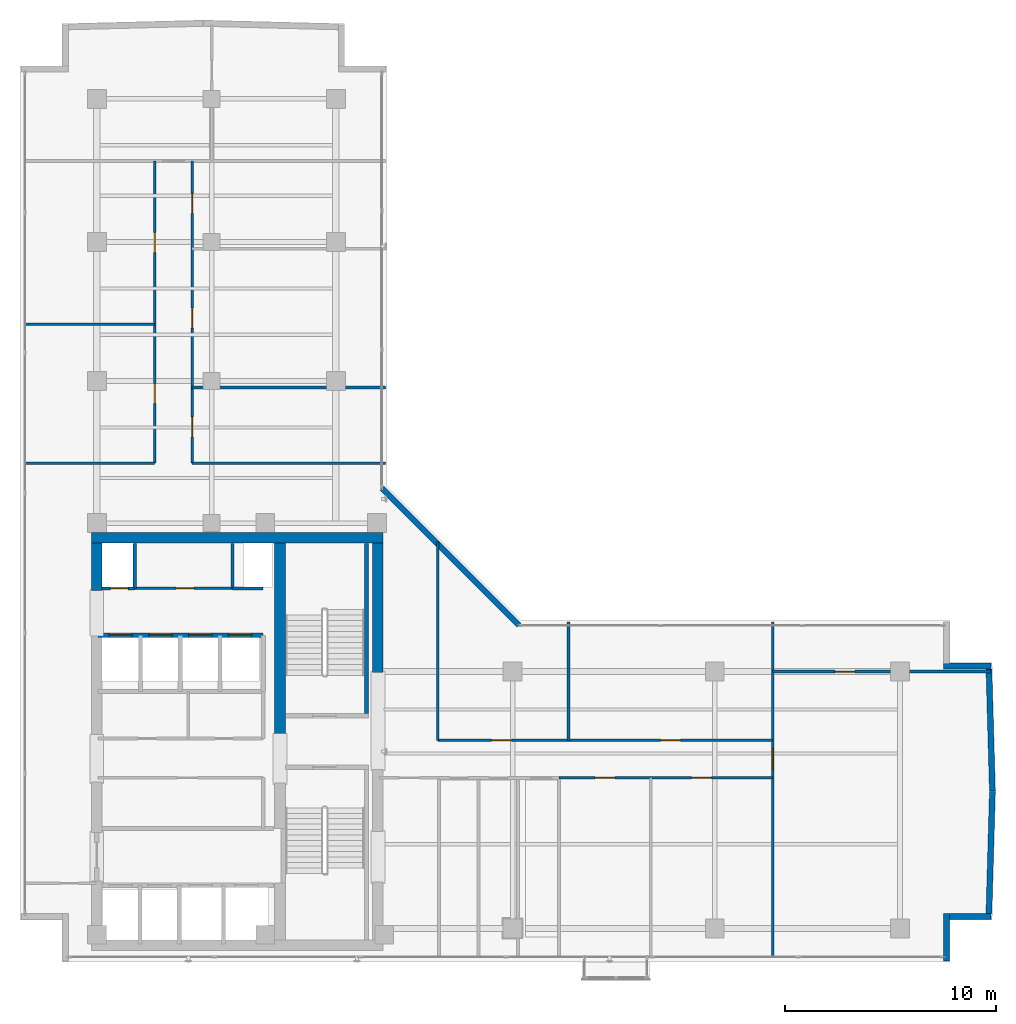
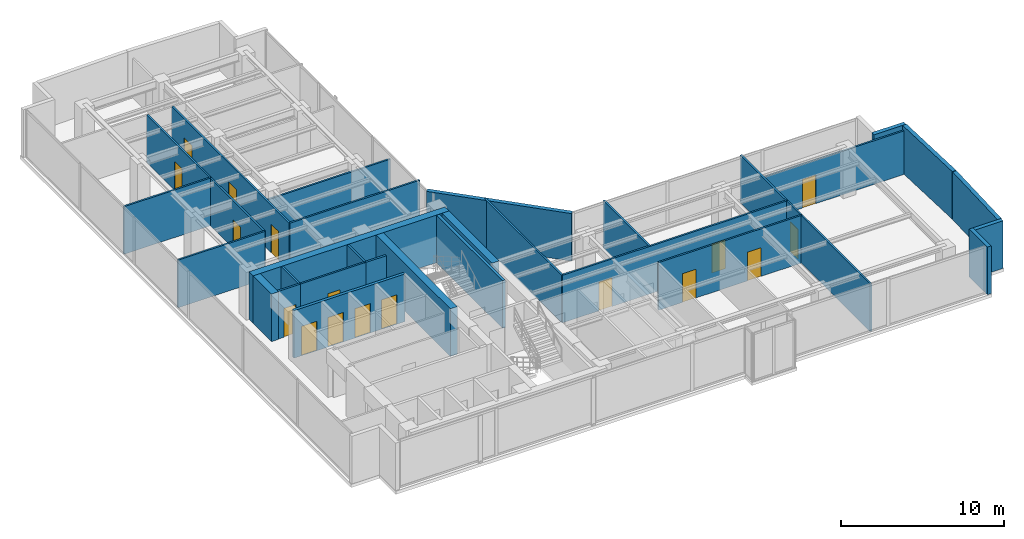
# One storey, part 18 of 22: 29 walls, 17 doors, 17 openings.
"""IFC4 building model written with IfcOpenShell, lengths in metres."""

from ifc_helpers import new_model, si_unit, direction, frame, frame_2d, origin, place, context, subcontext, project, spatial, rectangle, extrude, material, layer, layer_set, type_object, element, fill, save


model = new_model("IFC4")

# Units and contexts
model_context = context("Model", 3, precision=1e-05, world=origin(), true_north=direction((0.0, 1.0)))
body_context = subcontext(model_context, "Body", "Model", "MODEL_VIEW")
ifc_project = project(units=[si_unit("LENGTHUNIT", "METRE"), si_unit("AREAUNIT", "SQUARE_METRE"), si_unit("VOLUMEUNIT", "CUBIC_METRE"), si_unit("PLANEANGLEUNIT", "RADIAN"), si_unit("MASSUNIT", "GRAM", prefix="KILO")], contexts=[model_context])

# Site, building, storey
site_placement = place(None, origin())
site = spatial("IfcSite", under=ifc_project, at=site_placement, CompositionType="ELEMENT")
building_placement = place(site_placement, origin())
building = spatial("IfcBuilding", under=site, at=building_placement, Name="Kolvaren Waterfront Exchange", CompositionType="ELEMENT")
storey_placement = place(building_placement, frame((0.0, 0.0, 327.39990234375)))
storey = spatial("IfcBuildingStorey", under=building, at=storey_placement, Name="L84", CompositionType="ELEMENT", Elevation=327.39990234375)

# Walls
ifc_material_1 = material(Name="Precast concrete C40/50", Category="concrete")
ifc_layer_1 = layer(ifc_material_1, 0.280029296875, Name="Precast concrete C40/50")
ifc_layer_set_1 = layer_set([ifc_layer_1], Name="Precast concrete C40/50")
wall_type_1 = type_object("IfcWallType", Name="ARC-EXT-TERR-280", PredefinedType="SOLIDWALL", material=ifc_layer_set_1)
wall_1_placement = place(storey_placement, frame((47.813720703125, 3.659912109375, 0.0), z_axis=(0.0, 0.0, 1.0), x_axis=(0.0, 1.0, 0.0)))
element("IfcWall", 1, at=wall_1_placement, inside=storey, type_object=wall_type_1, Name="L84 notched corner spandrel pier SE-A", PredefinedType="SOLIDWALL", context=body_context, shape_type="SweptSolid", body=[
    extrude(rectangle(XDim=2.239990234375, YDim=0.280029296875, at=frame_2d((1.1201171875, 0.0))), origin(), (0.0, 0.0, 1.0), 3.56005859375),
])
wall_2_placement = place(storey_placement, frame((47.95361328125, 5.760009765625, 0.0), z_axis=(0.0, 0.0, 1.0), x_axis=(1.0, 0.0, 0.0)))
element("IfcWall", 2, at=wall_2_placement, inside=storey, type_object=wall_type_1, Name="L84 notched corner spandrel pier SE-B", PredefinedType="SOLIDWALL", context=body_context, shape_type="SweptSolid", body=[
    extrude(rectangle(XDim=1.960205078125, YDim=0.280029296875, at=frame_2d((0.97998046875, 0.0))), origin(), (0.0, 0.0, 1.0), 3.56005859375),
])
wall_3_placement = place(storey_placement, frame((47.673583984375, 17.6611328125, 0.0), z_axis=(0.0, 0.0, 1.0), x_axis=(1.0, 0.0, 0.0)))
element("IfcWall", 3, at=wall_3_placement, inside=storey, type_object=wall_type_1, Name="L84 notched corner spandrel pier ENE-B", PredefinedType="SOLIDWALL", context=body_context, shape_type="SweptSolid", body=[
    extrude(rectangle(XDim=2.240234375, YDim=0.280029296875, at=frame_2d((1.1201171875, 0.0))), origin(), (0.0, 0.0, 1.0), 3.56005859375),
])
wall_4_placement = place(storey_placement, frame((27.506103515625, 19.59619140625, 0.0), z_axis=(0.0, 0.0, 1.0), x_axis=(-0.707106781187, 0.707106781187, 0.0)))
element("IfcWall", 4, at=wall_4_placement, inside=storey, type_object=wall_type_1, Name="L84 notched corner spandrel pier ELBOW", PredefinedType="SOLIDWALL", context=body_context, shape_type="SweptSolid", body=[
    extrude(rectangle(XDim=9.20654296875, YDim=0.280029296875, at=frame_2d((4.603271484375, 0.0))), origin(), (0.0, 0.0, 1.0), 3.56005859375),
])
for number, where, z_axis, x_axis, name in (
    (5, (49.822265625, 5.904296875, 0.0), (0.0, 0.0, 1.0), (0.028404572153, 0.999596508738, 0.0), "L84 east prow faceted facade wall 1"),
    (6, (49.98681640625, 11.725830078125, 0.0), (0.0, 0.0, 1.0), (-0.028404572153, 0.999596508738, 0.0), "L84 east prow faceted facade wall 2"),
):
    element("IfcWall", number, at=place(storey_placement, frame(where, z_axis=z_axis, x_axis=x_axis)), inside=storey, type_object=wall_type_1, Name=name, PredefinedType="SOLIDWALL", context=body_context, shape_type="SweptSolid", body=[
        extrude(rectangle(XDim=5.793212890625, YDim=0.280029296875, at=frame_2d((2.896484375, 0.0))), origin(), (0.0, 0.0, 1.0), 3.56005859375),
    ])

# Wall, opening, door
ifc_material_2 = material(Name="Acoustic gypsum steel stud", Category="steel")
ifc_layer_2 = layer(ifc_material_2, 0.125, Name="Acoustic gypsum steel stud")
ifc_layer_set_2 = layer_set([ifc_layer_2], Name="Acoustic gypsum steel stud")
wall_type_2 = type_object("IfcWallType", Name="ARC-PART-125", PredefinedType="PARTITIONING", material=ifc_layer_set_2)
wall_5_placement = place(storey_placement, frame((9.25, 21.35009765625, 0.0), z_axis=(0.0, 0.0, 1.0), x_axis=(1.0, 0.0, 0.0)))
wall_5 = element("IfcWall", 7, at=wall_5_placement, inside=storey, type_object=wall_type_2, Name="L84 interior wall PW-L84-SVC-HI-S", PredefinedType="PARTITIONING", context=body_context, shape_type="SweptSolid", body=[
    extrude(rectangle(XDim=4.64990234375, YDim=0.125, at=frame_2d((2.324951171875, 0.0))), origin(), (0.0, 0.0, 1.0), 3.56005859375),
])
opening_1_placement = place(wall_5_placement, frame((1.971435546875, 0.0, 0.0)))
opening_1 = element("IfcOpeningElement", 8, at=opening_1_placement, cuts=wall_5, Name="Opening D01", PredefinedType="OPENING", context=body_context, shape_type="SweptSolid", body=[
    extrude(rectangle(XDim=0.85009765625, YDim=2.14990234375, at=frame_2d((0.425048828125, 1.074951171875))), frame((0.0, 0.072509765625, 0.0), z_axis=(0.0, -1.0, 0.0), x_axis=(1.0, 0.0, 0.0)), (0.0, 0.0, 1.0), 0.14501953125),
])
ifc_material_3 = material(Name="Oak veneer timber leaf", Category="wood")
door_type_1 = type_object("IfcDoorType", Name="ARC-DR-900", OperationType="NOTDEFINED", PredefinedType="DOOR", material=ifc_material_3)
door_1_placement = place(opening_1_placement, origin())
door_1 = element("IfcDoor", 9, at=door_1_placement, inside=storey, type_object=door_type_1, Name="L84 door DR-L84-SVC-DR-1 (D01)", OperationType="SINGLE_SWING_LEFT", OverallHeight=2.14990234375, OverallWidth=0.85009765625, PredefinedType="DOOR", context=body_context, shape_type="SweptSolid", body=[
    extrude(rectangle(XDim=0.85009765625, YDim=2.14990234375, at=frame_2d((0.425048828125, 1.074951171875))), frame((0.0, 0.02490234375, 0.0), z_axis=(0.0, -1.0, 0.0), x_axis=(1.0, 0.0, 0.0)), (0.0, 0.0, 1.0), 0.050048828125),
])
fill(opening_1, door_1)

# Wall, openings, doors
wall_6_placement = place(storey_placement, frame((29.39990234375, 12.35009765625, 0.0), z_axis=(0.0, 0.0, 1.0), x_axis=(1.0, 0.0, 0.0)))
wall_6 = element("IfcWall", 10, at=wall_6_placement, inside=storey, type_object=wall_type_2, Name="L84 interior wall PW-L84-ES-CORR", PredefinedType="PARTITIONING", context=body_context, shape_type="SweptSolid", body=[
    extrude(rectangle(XDim=10.150146484375, YDim=0.125, at=frame_2d((5.0751953125, 0.0))), origin(), (0.0, 0.0, 1.0), 3.56005859375),
])
opening_2_placement = place(wall_6_placement, frame((1.705078125, 0.0, 0.0)))
opening_2 = element("IfcOpeningElement", 11, at=opening_2_placement, cuts=wall_6, Name="Opening D02", PredefinedType="OPENING", context=body_context, shape_type="SweptSolid", body=[
    extrude(rectangle(XDim=0.949951171875, YDim=2.14990234375, at=frame_2d((0.47509765625, 1.074951171875))), frame((0.0, 0.072509765625, 0.0), z_axis=(0.0, -1.0, 0.0), x_axis=(1.0, 0.0, 0.0)), (0.0, 0.0, 1.0), 0.14501953125),
])
opening_3_placement = place(wall_6_placement, frame((6.304931640625, 0.0, 0.0)))
opening_3 = element("IfcOpeningElement", 12, at=opening_3_placement, cuts=wall_6, Name="Opening D02", PredefinedType="OPENING", context=body_context, shape_type="SweptSolid", body=[
    extrude(rectangle(XDim=0.949951171875, YDim=2.14990234375, at=frame_2d((0.47509765625, 1.074951171875))), frame((0.0, 0.072509765625, 0.0), z_axis=(0.0, -1.0, 0.0), x_axis=(1.0, 0.0, 0.0)), (0.0, 0.0, 1.0), 0.14501953125),
])
ifc_material_4 = material(Name="Oak veneer acoustic timber", Category="wood")
door_type_2 = type_object("IfcDoorType", Name="ARC-DR-950", OperationType="NOTDEFINED", PredefinedType="DOOR", material=ifc_material_4)
door_2_placement = place(opening_2_placement, origin())
door_2 = element("IfcDoor", 13, at=door_2_placement, inside=storey, type_object=door_type_2, Name="L84 door DR-L84-ES-D-1 (D02)", OperationType="SINGLE_SWING_LEFT", OverallHeight=2.14990234375, OverallWidth=0.949951171875, PredefinedType="DOOR", context=body_context, shape_type="SweptSolid", body=[
    extrude(rectangle(XDim=0.949951171875, YDim=2.14990234375, at=frame_2d((0.47509765625, 1.074951171875))), frame((0.0, 0.02490234375, 0.0), z_axis=(0.0, -1.0, 0.0), x_axis=(1.0, 0.0, 0.0)), (0.0, 0.0, 1.0), 0.050048828125),
])
fill(opening_2, door_2)
door_3_placement = place(opening_3_placement, origin())
door_3 = element("IfcDoor", 14, at=door_3_placement, inside=storey, type_object=door_type_2, Name="L84 door DR-L84-ES-D-2 (D02)", OperationType="SINGLE_SWING_RIGHT", OverallHeight=2.14990234375, OverallWidth=0.949951171875, PredefinedType="DOOR", context=body_context, shape_type="SweptSolid", body=[
    extrude(rectangle(XDim=0.949951171875, YDim=2.14990234375, at=frame_2d((0.47509765625, 1.074951171875))), frame((0.0, 0.02490234375, 0.0), z_axis=(0.0, -1.0, 0.0), x_axis=(1.0, 0.0, 0.0)), (0.0, 0.0, 1.0), 0.050048828125),
])
fill(opening_3, door_3)

# Wall, opening, door
wall_7_placement = place(storey_placement, frame((39.550048828125, 3.840087890625, 0.0), z_axis=(0.0, 0.0, 1.0), x_axis=(0.0, 1.0, 0.0)))
wall_7 = element("IfcWall", 15, at=wall_7_placement, inside=storey, type_object=wall_type_2, Name="L84 interior wall PW-L84-ETIP-W", PredefinedType="PARTITIONING", context=body_context, shape_type="SweptSolid", body=[
    extrude(rectangle(XDim=15.919921875, YDim=0.125, at=frame_2d((7.9599609375, 0.0))), origin(), (0.0, 0.0, 1.0), 3.56005859375),
])
opening_4_placement = place(wall_7_placement, frame((8.89990234375, 0.0, 0.0)))
opening_4 = element("IfcOpeningElement", 16, at=opening_4_placement, cuts=wall_7, Name="Opening D03", PredefinedType="OPENING", context=body_context, shape_type="SweptSolid", body=[
    extrude(rectangle(XDim=1.0, YDim=2.199951171875, at=frame_2d((0.5, 1.10009765625))), frame((0.0, 0.072509765625, 0.0), z_axis=(0.0, -1.0, 0.0), x_axis=(1.0, 0.0, 0.0)), (0.0, 0.0, 1.0), 0.14501953125),
])
ifc_material_5 = material(Name="Oak veneer accessible timber", Category="wood")
door_type_3 = type_object("IfcDoorType", Name="ARC-DR-1000", OperationType="NOTDEFINED", PredefinedType="DOOR", material=ifc_material_5)
door_4_placement = place(opening_4_placement, origin())
door_4 = element("IfcDoor", 17, at=door_4_placement, inside=storey, type_object=door_type_3, Name="L84 door DR-L84-ETIP1-D (D03)", OperationType="SINGLE_SWING_LEFT", OverallHeight=2.199951171875, OverallWidth=1.0, PredefinedType="DOOR", context=body_context, shape_type="SweptSolid", body=[
    extrude(rectangle(XDim=1.0, YDim=2.199951171875, at=frame_2d((0.5, 1.10009765625))), frame((0.0, 0.02490234375, 0.0), z_axis=(0.0, -1.0, 0.0), x_axis=(1.0, 0.0, 0.0)), (0.0, 0.0, 1.0), 0.050048828125),
])
fill(opening_4, door_4)

wall_8_placement = place(storey_placement, frame((39.550048828125, 17.39990234375, 0.0), z_axis=(0.0, 0.0, 1.0), x_axis=(1.0, 0.0, 0.0)))
wall_8 = element("IfcWall", 18, at=wall_8_placement, inside=storey, type_object=wall_type_2, Name="L84 interior wall PW-L84-ETIP-MID", PredefinedType="PARTITIONING", context=body_context, shape_type="SweptSolid", body=[
    extrude(rectangle(XDim=10.357421875, YDim=0.125, at=frame_2d((5.1787109375, 0.0))), origin(), (0.0, 0.0, 1.0), 3.260009765625),
])
opening_5_placement = place(wall_8_placement, frame((2.949951171875, 0.0, 0.0)))
opening_5 = element("IfcOpeningElement", 19, at=opening_5_placement, cuts=wall_8, Name="Opening D02", PredefinedType="OPENING", context=body_context, shape_type="SweptSolid", body=[
    extrude(rectangle(XDim=0.949951171875, YDim=2.14990234375, at=frame_2d((0.47509765625, 1.074951171875))), frame((0.0, 0.072509765625, 0.0), z_axis=(0.0, -1.0, 0.0), x_axis=(1.0, 0.0, 0.0)), (0.0, 0.0, 1.0), 0.14501953125),
])
door_5_placement = place(opening_5_placement, origin())
door_5 = element("IfcDoor", 20, at=door_5_placement, inside=storey, type_object=door_type_2, Name="L84 door DR-L84-ETIP2-D (D02)", OperationType="SINGLE_SWING_RIGHT", OverallHeight=2.14990234375, OverallWidth=0.949951171875, PredefinedType="DOOR", context=body_context, shape_type="SweptSolid", body=[
    extrude(rectangle(XDim=0.949951171875, YDim=2.14990234375, at=frame_2d((0.47509765625, 1.074951171875))), frame((0.0, 0.02490234375, 0.0), z_axis=(0.0, -1.0, 0.0), x_axis=(1.0, 0.0, 0.0)), (0.0, 0.0, 1.0), 0.050048828125),
])
fill(opening_5, door_5)

# Wall
wall_9_placement = place(storey_placement, frame((23.64990234375, 14.1298828125, 0.0), z_axis=(0.0, 0.0, 1.0), x_axis=(0.0, 1.0, 0.0)))
element("IfcWall", 21, at=wall_9_placement, inside=storey, type_object=wall_type_2, Name="L84 interior wall PW-L84-EN-W0", PredefinedType="PARTITIONING", context=body_context, shape_type="SweptSolid", body=[
    extrude(rectangle(XDim=9.42236328125, YDim=0.125, at=frame_2d((4.711181640625, 0.0))), origin(), (0.0, 0.0, 1.0), 3.56005859375),
])

# Wall, openings, doors
wall_10_placement = place(storey_placement, frame((23.64990234375, 14.1298828125, 0.0), z_axis=(0.0, 0.0, 1.0), x_axis=(1.0, 0.0, 0.0)))
wall_10 = element("IfcWall", 22, at=wall_10_placement, inside=storey, type_object=wall_type_2, Name="L84 interior wall PW-L84-EN-CORR", PredefinedType="PARTITIONING", context=body_context, shape_type="SweptSolid", body=[
    extrude(rectangle(XDim=15.900146484375, YDim=0.125, at=frame_2d((7.9501953125, 0.0))), origin(), (0.0, 0.0, 1.0), 3.56005859375),
])
opening_6_placement = place(wall_10_placement, frame((2.55322265625, 0.0, 0.0)))
opening_6 = element("IfcOpeningElement", 23, at=opening_6_placement, cuts=wall_10, Name="Opening D02", PredefinedType="OPENING", context=body_context, shape_type="SweptSolid", body=[
    extrude(rectangle(XDim=0.949951171875, YDim=2.14990234375, at=frame_2d((0.47509765625, 1.074951171875))), frame((0.0, 0.072509765625, 0.0), z_axis=(0.0, -1.0, 0.0), x_axis=(1.0, 0.0, 0.0)), (0.0, 0.0, 1.0), 0.14501953125),
])
opening_7_placement = place(wall_10_placement, frame((10.574951171875, 0.0, 0.0)))
opening_7 = element("IfcOpeningElement", 24, at=opening_7_placement, cuts=wall_10, Name="Opening D02", PredefinedType="OPENING", context=body_context, shape_type="SweptSolid", body=[
    extrude(rectangle(XDim=0.949951171875, YDim=2.14990234375, at=frame_2d((0.47509765625, 1.074951171875))), frame((0.0, 0.072509765625, 0.0), z_axis=(0.0, -1.0, 0.0), x_axis=(1.0, 0.0, 0.0)), (0.0, 0.0, 1.0), 0.14501953125),
])
door_6_placement = place(opening_6_placement, origin())
door_6 = element("IfcDoor", 25, at=door_6_placement, inside=storey, type_object=door_type_2, Name="L84 door DR-L84-EN-D-1 (D02)", OperationType="SINGLE_SWING_LEFT", OverallHeight=2.14990234375, OverallWidth=0.949951171875, PredefinedType="DOOR", context=body_context, shape_type="SweptSolid", body=[
    extrude(rectangle(XDim=0.949951171875, YDim=2.14990234375, at=frame_2d((0.47509765625, 1.074951171875))), frame((0.0, 0.02490234375, 0.0), z_axis=(0.0, -1.0, 0.0), x_axis=(1.0, 0.0, 0.0)), (0.0, 0.0, 1.0), 0.050048828125),
])
fill(opening_6, door_6)
door_7_placement = place(opening_7_placement, origin())
door_7 = element("IfcDoor", 26, at=door_7_placement, inside=storey, type_object=door_type_2, Name="L84 door DR-L84-EN-D-2 (D02)", OperationType="SINGLE_SWING_RIGHT", OverallHeight=2.14990234375, OverallWidth=0.949951171875, PredefinedType="DOOR", context=body_context, shape_type="SweptSolid", body=[
    extrude(rectangle(XDim=0.949951171875, YDim=2.14990234375, at=frame_2d((0.47509765625, 1.074951171875))), frame((0.0, 0.02490234375, 0.0), z_axis=(0.0, -1.0, 0.0), x_axis=(1.0, 0.0, 0.0)), (0.0, 0.0, 1.0), 0.050048828125),
])
fill(opening_7, door_7)

# Walls
wall_11_placement = place(storey_placement, frame((29.85009765625, 14.1298828125, 0.0), z_axis=(0.0, 0.0, 1.0), x_axis=(0.0, 1.0, 0.0)))
element("IfcWall", 27, at=wall_11_placement, inside=storey, type_object=wall_type_2, Name="L84 interior wall PW-L84-EN-DIV-1", PredefinedType="PARTITIONING", context=body_context, shape_type="SweptSolid", body=[
    extrude(rectangle(XDim=5.630126953125, YDim=0.125, at=frame_2d((2.81494140625, 0.0))), origin(), (0.0, 0.0, 1.0), 3.56005859375),
])
wall_12_placement = place(storey_placement, frame((4.0400390625, 27.300048828125, 0.0), z_axis=(0.0, 0.0, 1.0), x_axis=(1.0, 0.0, 0.0)))
element("IfcWall", 28, at=wall_12_placement, inside=storey, type_object=wall_type_2, Name="L84 interior wall PW-L84-NW-S0", PredefinedType="PARTITIONING", context=body_context, shape_type="SweptSolid", body=[
    extrude(rectangle(XDim=6.159912109375, YDim=0.125, at=frame_2d((3.080078125, 0.0))), origin(), (0.0, 0.0, 1.0), 3.56005859375),
])

# Wall, openings, doors
wall_13_placement = place(storey_placement, frame((10.199951171875, 27.300048828125, 0.0), z_axis=(0.0, 0.0, 1.0), x_axis=(0.0, 1.0, 0.0)))
wall_13 = element("IfcWall", 29, at=wall_13_placement, inside=storey, type_object=wall_type_2, Name="L84 interior wall PW-L84-NW-CORR", PredefinedType="PARTITIONING", context=body_context, shape_type="SweptSolid", body=[
    extrude(rectangle(XDim=14.349853515625, YDim=0.125, at=frame_2d((7.1748046875, 0.0))), origin(), (0.0, 0.0, 1.0), 3.56005859375),
])
opening_8_placement = place(wall_13_placement, frame((2.824951171875, 0.0, 0.0)))
opening_8 = element("IfcOpeningElement", 30, at=opening_8_placement, cuts=wall_13, Name="Opening D02", PredefinedType="OPENING", context=body_context, shape_type="SweptSolid", body=[
    extrude(rectangle(XDim=0.949951171875, YDim=2.14990234375, at=frame_2d((0.47509765625, 1.074951171875))), frame((0.0, 0.072509765625, 0.0), z_axis=(0.0, -1.0, 0.0), x_axis=(1.0, 0.0, 0.0)), (0.0, 0.0, 1.0), 0.14501953125),
])
opening_9_placement = place(wall_13_placement, frame((10.0, 0.0, 0.0)))
opening_9 = element("IfcOpeningElement", 31, at=opening_9_placement, cuts=wall_13, Name="Opening D02", PredefinedType="OPENING", context=body_context, shape_type="SweptSolid", body=[
    extrude(rectangle(XDim=0.949951171875, YDim=2.14990234375, at=frame_2d((0.47509765625, 1.074951171875))), frame((0.0, 0.072509765625, 0.0), z_axis=(0.0, -1.0, 0.0), x_axis=(1.0, 0.0, 0.0)), (0.0, 0.0, 1.0), 0.14501953125),
])
door_8_placement = place(opening_8_placement, origin())
door_8 = element("IfcDoor", 32, at=door_8_placement, inside=storey, type_object=door_type_2, Name="L84 door DR-L84-NW-D-1 (D02)", OperationType="SINGLE_SWING_LEFT", OverallHeight=2.14990234375, OverallWidth=0.949951171875, PredefinedType="DOOR", context=body_context, shape_type="SweptSolid", body=[
    extrude(rectangle(XDim=0.949951171875, YDim=2.14990234375, at=frame_2d((0.47509765625, 1.074951171875))), frame((0.0, 0.02490234375, 0.0), z_axis=(0.0, -1.0, 0.0), x_axis=(1.0, 0.0, 0.0)), (0.0, 0.0, 1.0), 0.050048828125),
])
fill(opening_8, door_8)
door_9_placement = place(opening_9_placement, origin())
door_9 = element("IfcDoor", 33, at=door_9_placement, inside=storey, type_object=door_type_2, Name="L84 door DR-L84-NW-D-2 (D02)", OperationType="SINGLE_SWING_RIGHT", OverallHeight=2.14990234375, OverallWidth=0.949951171875, PredefinedType="DOOR", context=body_context, shape_type="SweptSolid", body=[
    extrude(rectangle(XDim=0.949951171875, YDim=2.14990234375, at=frame_2d((0.47509765625, 1.074951171875))), frame((0.0, 0.02490234375, 0.0), z_axis=(0.0, -1.0, 0.0), x_axis=(1.0, 0.0, 0.0)), (0.0, 0.0, 1.0), 0.050048828125),
])
fill(opening_9, door_9)

# Walls
wall_14_placement = place(storey_placement, frame((4.0400390625, 33.89990234375, 0.0), z_axis=(0.0, 0.0, 1.0), x_axis=(1.0, 0.0, 0.0)))
element("IfcWall", 34, at=wall_14_placement, inside=storey, type_object=wall_type_2, Name="L84 interior wall PW-L84-NW-DIV-1", PredefinedType="PARTITIONING", context=body_context, shape_type="SweptSolid", body=[
    extrude(rectangle(XDim=6.159912109375, YDim=0.125, at=frame_2d((3.080078125, 0.0))), origin(), (0.0, 0.0, 1.0), 3.56005859375),
])
wall_15_placement = place(storey_placement, frame((11.97998046875, 27.300048828125, 0.0), z_axis=(0.0, 0.0, 1.0), x_axis=(1.0, 0.0, 0.0)))
element("IfcWall", 35, at=wall_15_placement, inside=storey, type_object=wall_type_2, Name="L84 interior wall PW-L84-NE-S0", PredefinedType="PARTITIONING", context=body_context, shape_type="SweptSolid", body=[
    extrude(rectangle(XDim=9.179931640625, YDim=0.125, at=frame_2d((4.58984375, 0.0))), origin(), (0.0, 0.0, 1.0), 3.56005859375),
])

# Wall, openings, doors
wall_16_placement = place(storey_placement, frame((11.97998046875, 27.300048828125, 0.0), z_axis=(0.0, 0.0, 1.0), x_axis=(0.0, 1.0, 0.0)))
wall_16 = element("IfcWall", 36, at=wall_16_placement, inside=storey, type_object=wall_type_2, Name="L84 interior wall PW-L84-NE-CORR", PredefinedType="PARTITIONING", context=body_context, shape_type="SweptSolid", body=[
    extrude(rectangle(XDim=14.349853515625, YDim=0.125, at=frame_2d((7.1748046875, 0.0))), origin(), (0.0, 0.0, 1.0), 3.56005859375),
])
opening_10_placement = place(wall_16_placement, frame((1.249267578125, 0.0, 0.0)))
opening_10 = element("IfcOpeningElement", 37, at=opening_10_placement, cuts=wall_16, Name="Opening D02", PredefinedType="OPENING", context=body_context, shape_type="SweptSolid", body=[
    extrude(rectangle(XDim=0.949951171875, YDim=2.14990234375, at=frame_2d((0.47509765625, 1.074951171875))), frame((0.0, 0.072509765625, 0.0), z_axis=(0.0, -1.0, 0.0), x_axis=(1.0, 0.0, 0.0)), (0.0, 0.0, 1.0), 0.14501953125),
])
opening_11_placement = place(wall_16_placement, frame((6.4150390625, 0.0, 0.0)))
opening_11 = element("IfcOpeningElement", 38, at=opening_11_placement, cuts=wall_16, Name="Opening D02", PredefinedType="OPENING", context=body_context, shape_type="SweptSolid", body=[
    extrude(rectangle(XDim=0.949951171875, YDim=2.14990234375, at=frame_2d((0.47509765625, 1.074951171875))), frame((0.0, 0.072509765625, 0.0), z_axis=(0.0, -1.0, 0.0), x_axis=(1.0, 0.0, 0.0)), (0.0, 0.0, 1.0), 0.14501953125),
])
opening_12_placement = place(wall_16_placement, frame((11.865966796875, 0.0, 0.0)))
opening_12 = element("IfcOpeningElement", 39, at=opening_12_placement, cuts=wall_16, Name="Opening D02", PredefinedType="OPENING", context=body_context, shape_type="SweptSolid", body=[
    extrude(rectangle(XDim=0.949951171875, YDim=2.14990234375, at=frame_2d((0.47509765625, 1.074951171875))), frame((0.0, 0.072509765625, 0.0), z_axis=(0.0, -1.0, 0.0), x_axis=(1.0, 0.0, 0.0)), (0.0, 0.0, 1.0), 0.14501953125),
])
door_10_placement = place(opening_10_placement, origin())
door_10 = element("IfcDoor", 40, at=door_10_placement, inside=storey, type_object=door_type_2, Name="L84 door DR-L84-NE-D-1 (D02)", OperationType="SINGLE_SWING_LEFT", OverallHeight=2.14990234375, OverallWidth=0.949951171875, PredefinedType="DOOR", context=body_context, shape_type="SweptSolid", body=[
    extrude(rectangle(XDim=0.949951171875, YDim=2.14990234375, at=frame_2d((0.47509765625, 1.074951171875))), frame((0.0, 0.02490234375, 0.0), z_axis=(0.0, -1.0, 0.0), x_axis=(1.0, 0.0, 0.0)), (0.0, 0.0, 1.0), 0.050048828125),
])
fill(opening_10, door_10)
door_11_placement = place(opening_11_placement, origin())
door_11 = element("IfcDoor", 41, at=door_11_placement, inside=storey, type_object=door_type_2, Name="L84 door DR-L84-NE-D-2 (D02)", OperationType="SINGLE_SWING_RIGHT", OverallHeight=2.14990234375, OverallWidth=0.949951171875, PredefinedType="DOOR", context=body_context, shape_type="SweptSolid", body=[
    extrude(rectangle(XDim=0.949951171875, YDim=2.14990234375, at=frame_2d((0.47509765625, 1.074951171875))), frame((0.0, 0.02490234375, 0.0), z_axis=(0.0, -1.0, 0.0), x_axis=(1.0, 0.0, 0.0)), (0.0, 0.0, 1.0), 0.050048828125),
])
fill(opening_11, door_11)
door_12_placement = place(opening_12_placement, origin())
door_12 = element("IfcDoor", 42, at=door_12_placement, inside=storey, type_object=door_type_2, Name="L84 door DR-L84-NE-D-3 (D02)", OperationType="SINGLE_SWING_LEFT", OverallHeight=2.14990234375, OverallWidth=0.949951171875, PredefinedType="DOOR", context=body_context, shape_type="SweptSolid", body=[
    extrude(rectangle(XDim=0.949951171875, YDim=2.14990234375, at=frame_2d((0.47509765625, 1.074951171875))), frame((0.0, 0.02490234375, 0.0), z_axis=(0.0, -1.0, 0.0), x_axis=(1.0, 0.0, 0.0)), (0.0, 0.0, 1.0), 0.050048828125),
])
fill(opening_12, door_12)

# Walls
wall_17_placement = place(storey_placement, frame((11.97998046875, 30.889892578125, 0.0), z_axis=(0.0, 0.0, 1.0), x_axis=(1.0, 0.0, 0.0)))
element("IfcWall", 43, at=wall_17_placement, inside=storey, type_object=wall_type_2, Name="L84 interior wall PW-L84-NE-DIV-1", PredefinedType="PARTITIONING", context=body_context, shape_type="SweptSolid", body=[
    extrude(rectangle(XDim=9.179931640625, YDim=0.125, at=frame_2d((4.58984375, 0.0))), origin(), (0.0, 0.0, 1.0), 2.960205078125),
])
ifc_material_6 = material(Name="Gypsum fireboard steel stud", Category="steel")
ifc_layer_3 = layer(ifc_material_6, 0.14990234375, Name="Gypsum fireboard steel stud")
ifc_layer_set_3 = layer_set([ifc_layer_3], Name="Gypsum fireboard steel stud")
wall_type_3 = type_object("IfcWallType", Name="ARC-PART-150", PredefinedType="PARTITIONING", material=ifc_layer_set_3)
for number, where, z_axis, x_axis, name in (
    (44, (9.25, 21.35009765625, 0.0), (0.0, 0.0, 1.0), (0.0, 1.0, 0.0), "L84 interior wall PW-L84-SVC-R1"),
    (45, (13.89990234375, 21.35009765625, 0.0), (0.0, 0.0, 1.0), (0.0, 1.0, 0.0), "L84 interior wall PW-L84-SVC-R2"),
):
    element("IfcWall", number, at=place(storey_placement, frame(where, z_axis=z_axis, x_axis=x_axis)), inside=storey, type_object=wall_type_3, Name=name, PredefinedType="PARTITIONING", context=body_context, shape_type="SweptSolid", body=[
        extrude(rectangle(XDim=2.1298828125, YDim=0.14990234375, at=frame_2d((1.06494140625, 0.0))), origin(), (0.0, 0.0, 1.0), 3.56005859375),
    ])

# Wall, opening, door
wall_18_placement = place(storey_placement, frame((7.699951171875, 21.35009765625, 0.0), z_axis=(0.0, 0.0, 1.0), x_axis=(1.0, 0.0, 0.0)))
wall_18 = element("IfcWall", 46, at=wall_18_placement, inside=storey, type_object=wall_type_3, Name="L84 interior wall PW-L84-SVC-RE-S", PredefinedType="PARTITIONING", context=body_context, shape_type="SweptSolid", body=[
    extrude(rectangle(XDim=1.550048828125, YDim=0.14990234375, at=frame_2d((0.77490234375, 0.0))), origin(), (0.0, 0.0, 1.0), 3.56005859375),
])
opening_13_placement = place(wall_18_placement, frame((0.389892578125, 0.0, 0.0)))
opening_13 = element("IfcOpeningElement", 47, at=opening_13_placement, cuts=wall_18, Name="Opening FD1", PredefinedType="OPENING", context=body_context, shape_type="SweptSolid", body=[
    extrude(rectangle(XDim=0.85009765625, YDim=2.14990234375, at=frame_2d((0.425048828125, 1.074951171875))), frame((0.0, 0.0849609375, 0.0), z_axis=(0.0, -1.0, 0.0), x_axis=(1.0, 0.0, 0.0)), (0.0, 0.0, 1.0), 0.169921875),
])
ifc_material_7 = material(Name="Pressed steel fire leaf", Category="steel")
door_type_4 = type_object("IfcDoorType", Name="ARC-FD-900", OperationType="NOTDEFINED", PredefinedType="DOOR", material=ifc_material_7)
door_13_placement = place(opening_13_placement, origin())
door_13 = element("IfcDoor", 48, at=door_13_placement, inside=storey, type_object=door_type_4, Name="L84 door DR-L84-RISER-E-DR (FD1)", OperationType="SINGLE_SWING_RIGHT", OverallHeight=2.14990234375, OverallWidth=0.85009765625, PredefinedType="DOOR", context=body_context, shape_type="SweptSolid", body=[
    extrude(rectangle(XDim=0.85009765625, YDim=2.14990234375, at=frame_2d((0.425048828125, 1.074951171875))), frame((0.0, 0.02490234375, 0.0), z_axis=(0.0, -1.0, 0.0), x_axis=(1.0, 0.0, 0.0)), (0.0, 0.0, 1.0), 0.050048828125),
])
fill(opening_13, door_13)

# Walls
wall_19_placement = place(storey_placement, frame((13.89990234375, 21.35009765625, 0.0), z_axis=(0.0, 0.0, 1.0), x_axis=(1.0, 0.0, 0.0)))
element("IfcWall", 49, at=wall_19_placement, inside=storey, type_object=wall_type_3, Name="L84 interior wall PW-L84-SVC-RP-S", PredefinedType="PARTITIONING", context=body_context, shape_type="SweptSolid", body=[
    extrude(rectangle(XDim=1.4501953125, YDim=0.14990234375, at=frame_2d((0.72509765625, 0.0))), origin(), (0.0, 0.0, 1.0), 3.56005859375),
])
ifc_material_8 = material(Name="Concrete C40/50", Category="concrete")
ifc_layer_4 = layer(ifc_material_8, 0.199951171875, Name="Concrete C40/50")
ifc_layer_set_4 = layer_set([ifc_layer_4], Name="Concrete C40/50")
wall_type_4 = type_object("IfcWallType", Name="ARC-SHAFT-200", PredefinedType="PARTITIONING", material=ifc_layer_set_4)
wall_20_placement = place(storey_placement, frame((20.260009765625, 15.39990234375, 0.0), z_axis=(0.0, 0.0, 1.0), x_axis=(0.0, 1.0, 0.0)))
element("IfcWall", 50, at=wall_20_placement, inside=storey, type_object=wall_type_4, Name="L84 structural stairwell wall PW-L84-ST2-E", PredefinedType="SHEAR", context=body_context, shape_type="SweptSolid", body=[
    extrude(rectangle(XDim=8.090087890625, YDim=0.199951171875, at=frame_2d((4.044921875, 0.0))), origin(), (0.0, 0.0, 1.0), 3.56005859375),
])

# Wall, openings, doors
wall_21_placement = place(storey_placement, frame((7.5, 19.1201171875, 0.0), z_axis=(0.0, 0.0, 1.0), x_axis=(1.0, 0.0, 0.0)))
wall_21 = element("IfcWall", 51, at=wall_21_placement, inside=storey, type_object=wall_type_4, Name="L84 interior wall PW-L84-PH-N", PredefinedType="PARTITIONING", context=body_context, shape_type="SweptSolid", body=[
    extrude(rectangle(XDim=7.85009765625, YDim=0.199951171875, at=frame_2d((3.925048828125, 0.0))), origin(), (0.0, 0.0, 1.0), 3.56005859375),
])
opening_14_placement = place(wall_21_placement, frame((0.530029296875, 0.0, 0.0)))
opening_14 = element("IfcOpeningElement", 52, at=opening_14_placement, cuts=wall_21, Name="Opening LD2", PredefinedType="OPENING", context=body_context, shape_type="SweptSolid", body=[
    extrude(rectangle(XDim=1.10009765625, YDim=2.199951171875, at=frame_2d((0.550048828125, 1.10009765625))), frame((0.0, 0.10986328125, 0.0), z_axis=(0.0, -1.0, 0.0), x_axis=(1.0, 0.0, 0.0)), (0.0, 0.0, 1.0), 0.219970703125),
])
opening_15_placement = place(wall_21_placement, frame((2.419921875, 0.0, 0.0)))
opening_15 = element("IfcOpeningElement", 53, at=opening_15_placement, cuts=wall_21, Name="Opening LD2", PredefinedType="OPENING", context=body_context, shape_type="SweptSolid", body=[
    extrude(rectangle(XDim=1.10009765625, YDim=2.199951171875, at=frame_2d((0.550048828125, 1.10009765625))), frame((0.0, 0.10986328125, 0.0), z_axis=(0.0, -1.0, 0.0), x_axis=(1.0, 0.0, 0.0)), (0.0, 0.0, 1.0), 0.219970703125),
])
opening_16_placement = place(wall_21_placement, frame((4.31005859375, 0.0, 0.0)))
opening_16 = element("IfcOpeningElement", 54, at=opening_16_placement, cuts=wall_21, Name="Opening LD2", PredefinedType="OPENING", context=body_context, shape_type="SweptSolid", body=[
    extrude(rectangle(XDim=1.10009765625, YDim=2.199951171875, at=frame_2d((0.550048828125, 1.10009765625))), frame((0.0, 0.10986328125, 0.0), z_axis=(0.0, -1.0, 0.0), x_axis=(1.0, 0.0, 0.0)), (0.0, 0.0, 1.0), 0.219970703125),
])
opening_17_placement = place(wall_21_placement, frame((6.199951171875, 0.0, 0.0)))
opening_17 = element("IfcOpeningElement", 55, at=opening_17_placement, cuts=wall_21, Name="Opening LD2", PredefinedType="OPENING", context=body_context, shape_type="SweptSolid", body=[
    extrude(rectangle(XDim=1.10009765625, YDim=2.199951171875, at=frame_2d((0.550048828125, 1.10009765625))), frame((0.0, 0.10986328125, 0.0), z_axis=(0.0, -1.0, 0.0), x_axis=(1.0, 0.0, 0.0)), (0.0, 0.0, 1.0), 0.219970703125),
])
ifc_material_9 = material(Name="Brushed bronze sliding landing door", Category="aluminium")
door_type_5 = type_object("IfcDoorType", Name="ARC-LD-PAX", OperationType="SLIDING_TO_LEFT", PredefinedType="DOOR", material=ifc_material_9)
door_14_placement = place(opening_14_placement, origin())
door_14 = element("IfcDoor", 56, at=door_14_placement, inside=storey, type_object=door_type_5, Name="L84 door LD-L84-PH1 (LD2)", OperationType="SLIDING_TO_LEFT", OverallHeight=2.199951171875, OverallWidth=1.10009765625, PredefinedType="DOOR", context=body_context, shape_type="SweptSolid", body=[
    extrude(rectangle(XDim=1.10009765625, YDim=2.199951171875, at=frame_2d((0.550048828125, 1.10009765625))), frame((0.0, 0.02490234375, 0.0), z_axis=(0.0, -1.0, 0.0), x_axis=(1.0, 0.0, 0.0)), (0.0, 0.0, 1.0), 0.050048828125),
])
fill(opening_14, door_14)
door_15_placement = place(opening_15_placement, origin())
door_15 = element("IfcDoor", 57, at=door_15_placement, inside=storey, type_object=door_type_5, Name="L84 door LD-L84-PH2 (LD2)", OperationType="SLIDING_TO_LEFT", OverallHeight=2.199951171875, OverallWidth=1.10009765625, PredefinedType="DOOR", context=body_context, shape_type="SweptSolid", body=[
    extrude(rectangle(XDim=1.10009765625, YDim=2.199951171875, at=frame_2d((0.550048828125, 1.10009765625))), frame((0.0, 0.02490234375, 0.0), z_axis=(0.0, -1.0, 0.0), x_axis=(1.0, 0.0, 0.0)), (0.0, 0.0, 1.0), 0.050048828125),
])
fill(opening_15, door_15)
door_16_placement = place(opening_16_placement, origin())
door_16 = element("IfcDoor", 58, at=door_16_placement, inside=storey, type_object=door_type_5, Name="L84 door LD-L84-PH3 (LD2)", OperationType="SLIDING_TO_LEFT", OverallHeight=2.199951171875, OverallWidth=1.10009765625, PredefinedType="DOOR", context=body_context, shape_type="SweptSolid", body=[
    extrude(rectangle(XDim=1.10009765625, YDim=2.199951171875, at=frame_2d((0.550048828125, 1.10009765625))), frame((0.0, 0.02490234375, 0.0), z_axis=(0.0, -1.0, 0.0), x_axis=(1.0, 0.0, 0.0)), (0.0, 0.0, 1.0), 0.050048828125),
])
fill(opening_16, door_16)
door_17_placement = place(opening_17_placement, origin())
door_17 = element("IfcDoor", 59, at=door_17_placement, inside=storey, type_object=door_type_5, Name="L84 door LD-L84-PH4 (LD2)", OperationType="SLIDING_TO_LEFT", OverallHeight=2.199951171875, OverallWidth=1.10009765625, PredefinedType="DOOR", context=body_context, shape_type="SweptSolid", body=[
    extrude(rectangle(XDim=1.10009765625, YDim=2.199951171875, at=frame_2d((0.550048828125, 1.10009765625))), frame((0.0, 0.02490234375, 0.0), z_axis=(0.0, -1.0, 0.0), x_axis=(1.0, 0.0, 0.0)), (0.0, 0.0, 1.0), 0.050048828125),
])
fill(opening_17, door_17)

# Walls
ifc_material_10 = material(Name="Concrete C50/60", Category="concrete")
ifc_layer_5 = layer(ifc_material_10, 0.5, Name="Concrete C50/60")
ifc_layer_set_5 = layer_set([ifc_layer_5], Name="Concrete C50/60")
wall_type_5 = type_object("IfcWallType", Name="STR-CWALL-500", PredefinedType="SHEAR", material=ifc_layer_set_5)
wall_22_placement = place(storey_placement, frame((7.199951171875, 23.75, 0.0), z_axis=(0.0, 0.0, 1.0), x_axis=(1.0, 0.0, 0.0)))
element("IfcWall", 60, at=wall_22_placement, inside=storey, type_object=wall_type_5, Name="L84 rear-core shear wall N", PredefinedType="SHEAR", context=body_context, shape_type="SweptSolid", body=[
    extrude(rectangle(XDim=13.85009765625, YDim=0.5, at=frame_2d((6.925048828125, 0.0))), origin(), (0.0, 0.0, 1.0), 3.56005859375),
])
wall_23_placement = place(storey_placement, frame((7.449951171875, 21.239990234375, 0.0), z_axis=(0.0, 0.0, 1.0), x_axis=(0.0, 1.0, 0.0)))
element("IfcWall", 61, at=wall_23_placement, inside=storey, type_object=wall_type_5, Name="L84 rear-core shear wall W3", PredefinedType="SHEAR", context=body_context, shape_type="SweptSolid", body=[
    extrude(rectangle(XDim=2.260009765625, YDim=0.5, at=frame_2d((1.1298828125, 0.0))), origin(), (0.0, 0.0, 1.0), 3.56005859375),
])
wall_24_placement = place(storey_placement, frame((20.800048828125, 17.35009765625, 0.0), z_axis=(0.0, 0.0, 1.0), x_axis=(0.0, 1.0, 0.0)))
element("IfcWall", 62, at=wall_24_placement, inside=storey, type_object=wall_type_5, Name="L84 rear-core shear wall E3", PredefinedType="SHEAR", context=body_context, shape_type="SweptSolid", body=[
    extrude(rectangle(XDim=6.14990234375, YDim=0.5, at=frame_2d((3.074951171875, 0.0))), origin(), (0.0, 0.0, 1.0), 3.56005859375),
])
wall_25_placement = place(storey_placement, frame((16.14990234375, 14.39990234375, 0.0), z_axis=(0.0, 0.0, 1.0), x_axis=(0.0, 1.0, 0.0)))
element("IfcWall", 63, at=wall_25_placement, inside=storey, type_object=wall_type_5, Name="L84 rear-core shear wall M3", PredefinedType="SHEAR", context=body_context, shape_type="SweptSolid", body=[
    extrude(rectangle(XDim=9.10009765625, YDim=0.5, at=frame_2d((4.550048828125, 0.0))), origin(), (0.0, 0.0, 1.0), 3.56005859375),
])

save(model, "model.ifc")
